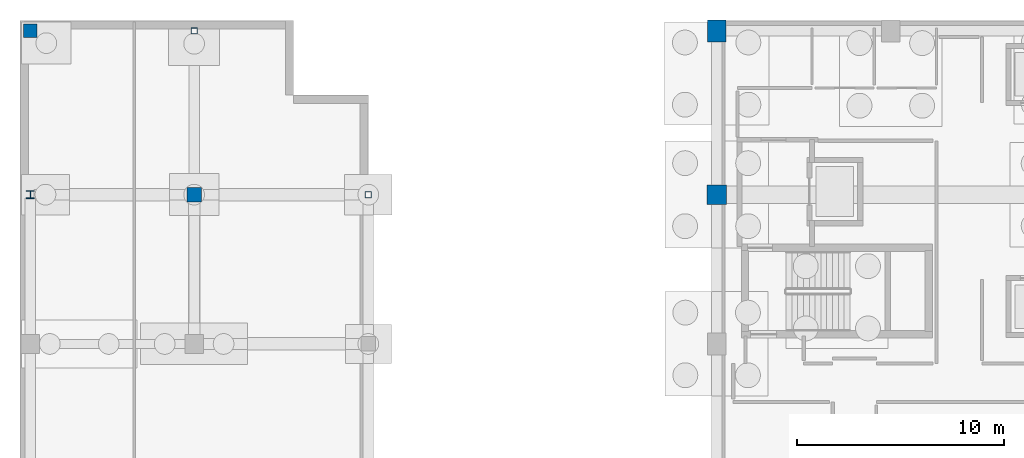
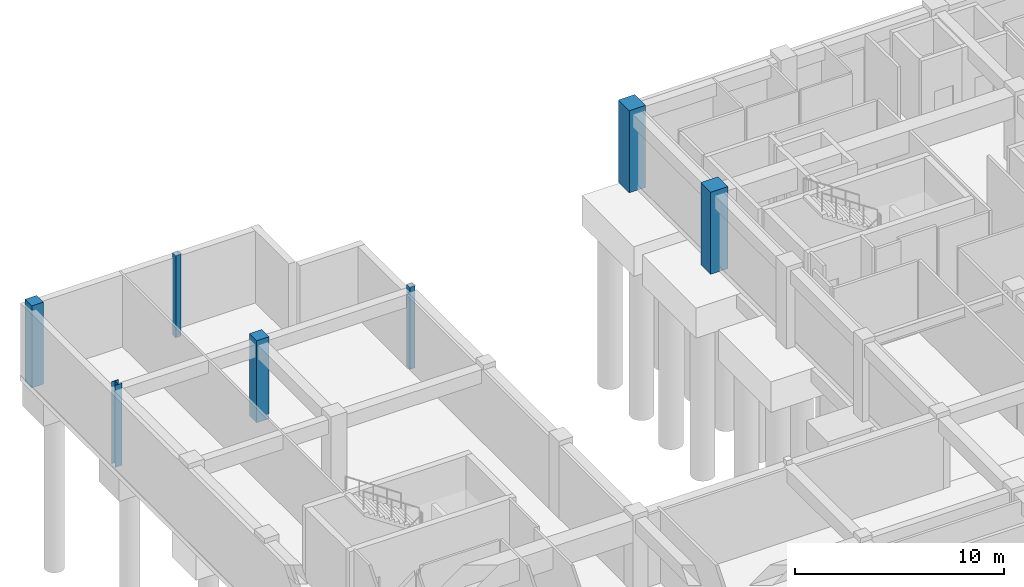
# One storey, part 14 of 42: 7 columns.
"""IFC4 building model written with IfcOpenShell, lengths in metres."""

import ifcopenshell
import ifcopenshell.guid

model = None  # the IFC model being written
_history = None  # IfcOwnerHistory: only IFC2X3 demands one
_inside = {}  # id of a spatial element -> (the spatial element, [elements in it])
_under = {}  # id of a project, library or spatial element -> (it, [spatial elements below it])
_declared = {}  # id of a project -> (the project, [libraries it declares])
_typed = {}  # id of a type object -> (the type object, [elements of that type])
_made_of = {}  # id of a material, layer set ... -> (it, [elements and type objects made of it])


def new_model(schema):
    """Start an empty IFC model of exactly this schema.

    Asked for "IFC4X3", IfcOpenShell would pick the latest addendum, in which some entities
    have other attributes; the version numbers below select the first issue.
    IFC2X3 requires an IfcOwnerHistory on every rooted entity: one is made here for all.
    """
    global model, _history
    if schema == "IFC4X3":
        model = ifcopenshell.file(schema_version=(4, 3, 0, 0))
    else:
        model = ifcopenshell.file(schema=schema)
    _inside.clear()
    _under.clear()
    _declared.clear()
    _typed.clear()
    _made_of.clear()
    _history = None
    if model.schema == "IFC2X3":
        org = make("IfcOrganization", Name="unknown")
        user = make(
            "IfcPersonAndOrganization",
            ThePerson=make("IfcPerson", FamilyName="unknown"),
            TheOrganization=org,
        )
        app = make(
            "IfcApplication",
            ApplicationDeveloper=org,
            Version="unknown",
            ApplicationFullName="unknown",
            ApplicationIdentifier="unknown",
        )
        _history = make(
            "IfcOwnerHistory",
            OwningUser=user,
            OwningApplication=app,
            ChangeAction="ADDED",
            CreationDate=0,
        )
    return model


def make(cls, **values):
    """One entity of the class cls with the attributes given. An attribute that is None is left unset."""
    return model.create_entity(
        cls, **{name: value for name, value in values.items() if value is not None}
    )


def rooted(cls, **values):
    """An entity with a GlobalId (a new one), such as an element, a storey or a relation."""
    return make(cls, GlobalId=ifcopenshell.guid.new(), OwnerHistory=_history, **values)


def si_unit(unit_type, name, prefix=None):
    """IfcSIUnit, for example si_unit("LENGTHUNIT", "METRE", prefix="MILLI")."""
    return make("IfcSIUnit", UnitType=unit_type, Prefix=prefix, Name=name)


def assignment(units):
    """IfcUnitAssignment: the units of a project."""
    return None if units is None else make("IfcUnitAssignment", Units=units)


def point(xyz):
    """IfcCartesianPoint."""
    return None if xyz is None else make("IfcCartesianPoint", Coordinates=xyz)


def direction(xyz):
    """IfcDirection."""
    return None if xyz is None else make("IfcDirection", DirectionRatios=xyz)


def frame(location, z_axis=None, x_axis=None):
    """IfcAxis2Placement3D, a coordinate frame: its origin and axes. An axis left out is left unset."""
    return make(
        "IfcAxis2Placement3D",
        Location=point(location),
        Axis=direction(z_axis),
        RefDirection=direction(x_axis),
    )


def frame_2d(location, x_axis=None):
    """IfcAxis2Placement2D, a coordinate frame in the plane: its origin and x axis."""
    return make(
        "IfcAxis2Placement2D", Location=point(location), RefDirection=direction(x_axis)
    )


def origin():
    """The frame at (0, 0, 0) with its axes left unset."""
    return frame((0.0, 0.0, 0.0))


def origin_2d():
    """The frame at (0, 0) in the plane with its x axis left unset."""
    return frame_2d((0.0, 0.0))


def place(relative_to, where):
    """IfcLocalPlacement: puts the frame where relative to a parent placement (None: the world)."""
    return make(
        "IfcLocalPlacement", PlacementRelTo=relative_to, RelativePlacement=where
    )


def context(
    kind, dimensions, precision=None, world=None, true_north=None, identifier=None
):
    """IfcGeometricRepresentationContext, for example the 3D "Model" context."""
    return make(
        "IfcGeometricRepresentationContext",
        ContextIdentifier=identifier,
        ContextType=kind,
        CoordinateSpaceDimension=dimensions,
        Precision=precision,
        WorldCoordinateSystem=world,
        TrueNorth=true_north,
    )


def subcontext(parent, identifier, kind, view, scale=None):
    """IfcGeometricRepresentationSubContext, for example "Body" below "Model"."""
    return make(
        "IfcGeometricRepresentationSubContext",
        ContextIdentifier=identifier,
        ContextType=kind,
        ParentContext=parent,
        TargetScale=scale,
        TargetView=view,
    )


def project(units=None, contexts=None):
    """IfcProject with its units and contexts."""
    return rooted(
        "IfcProject",
        Name="project",
        RepresentationContexts=contexts,
        UnitsInContext=assignment(units),
    )


def spatial(cls, under=None, at=None, **own):
    """A site, building, storey or space (cls), placed at a placement, below another one or the project."""
    s = rooted(cls, ObjectPlacement=at, **own)
    if under is not None:
        _under.setdefault(under.id(), (under, []))[1].append(s)
    return s


def profile(cls, at=None, kind="AREA", **sizes):
    """A parametric profile (cls). Its sizes go by their IFC names, for example OverallWidth=200.0."""
    return make(cls, ProfileType=kind, Position=at, **sizes)


def rectangle(**sizes):
    """IfcRectangleProfileDef."""
    return profile("IfcRectangleProfileDef", **sizes)


def hollow_rectangle(**sizes):
    """IfcRectangleHollowProfileDef."""
    return profile("IfcRectangleHollowProfileDef", **sizes)


def i_section(**sizes):
    """IfcIShapeProfileDef."""
    return profile("IfcIShapeProfileDef", **sizes)


def extrude(swept, where, along, depth):
    """IfcExtrudedAreaSolid: the profile swept, set in the frame where, extruded along a direction by depth."""
    return make(
        "IfcExtrudedAreaSolid",
        SweptArea=swept,
        Position=where,
        ExtrudedDirection=direction(along),
        Depth=depth,
    )


def shape(context_of_items, identifier, shape_type, items):
    """IfcShapeRepresentation: the items that make up one representation, for example the "Body"."""
    return make(
        "IfcShapeRepresentation",
        ContextOfItems=context_of_items,
        RepresentationIdentifier=identifier,
        RepresentationType=shape_type,
        Items=items,
    )


def material(Name=None, Category=None):
    """IfcMaterial."""
    return make("IfcMaterial", Name=Name, Category=Category)


def material_profile(
    of_material, cross_section, Name=None, Category=None, Priority=None
):
    """IfcMaterialProfile: a cross section and its material."""
    return make(
        "IfcMaterialProfile",
        Name=Name,
        Material=of_material,
        Profile=cross_section,
        Priority=Priority,
        Category=Category,
    )


def profile_set(profiles, Name=None, composite=None):
    """IfcMaterialProfileSet."""
    return make(
        "IfcMaterialProfileSet",
        Name=Name,
        MaterialProfiles=profiles,
        CompositeProfile=composite,
    )


def made_of(thing, what):
    """Note that an element or type object is made of a material, layer set ...; save() writes the relation."""
    if what is not None:
        _made_of.setdefault(what.id(), (what, []))[1].append(thing)
    return thing


def type_object(cls, material=None, **own):
    """A type object (cls), such as IfcWallType, which elements share."""
    return made_of(rooted(cls, **own), material)


def element(
    cls,
    number,
    at=None,
    inside=None,
    cuts=None,
    type_object=None,
    material=None,
    context=None,
    identifier="Body",
    shape_type=None,
    held_by="IfcProductDefinitionShape",
    body=None,
    shapes=None,
    **own,
):
    """One element of the class cls, such as IfcWall. Its Tag is "e" and its number.

    at: its placement. inside: the storey or other place that contains it. cuts: it is an
    opening in that element (IfcRelVoidsElement). A single representation is given by context,
    identifier, shape_type and body (its items); several are given by shapes. held_by: the class
    of the entity that holds the representations. save() writes the other relations.
    """
    e = rooted(cls, Tag="e%d" % number, ObjectPlacement=at, **own)
    if body is not None:
        shapes = [shape(context, identifier, shape_type, body)]
    if shapes is not None:
        e.Representation = make(held_by, Representations=shapes)
    if inside is not None:
        _inside.setdefault(inside.id(), (inside, []))[1].append(e)
    if cuts is not None:
        rooted(
            "IfcRelVoidsElement", RelatingBuildingElement=cuts, RelatedOpeningElement=e
        )
    if type_object is not None:
        _typed.setdefault(type_object.id(), (type_object, []))[1].append(e)
    return made_of(e, material)


def aggregate(whole, parts):
    """IfcRelAggregates: a whole, such as a stair, and the parts it consists of."""
    return rooted("IfcRelAggregates", RelatingObject=whole, RelatedObjects=parts)


def save(model, path):
    """Write the relations noted so far, then the file.

    IfcRelAggregates (storeys below a building ...), IfcRelContainedInSpatialStructure (elements
    in a storey), IfcRelDefinesByType, IfcRelAssociatesMaterial and IfcRelDeclares: one each for
    every whole, place, type object, material and project.
    """
    for whole, parts in _under.values():
        aggregate(whole, parts)
    for where, things in _inside.values():
        rooted(
            "IfcRelContainedInSpatialStructure",
            RelatedElements=things,
            RelatingStructure=where,
        )
    for kind, things in _typed.values():
        rooted("IfcRelDefinesByType", RelatedObjects=things, RelatingType=kind)
    for what, things in _made_of.values():
        rooted("IfcRelAssociatesMaterial", RelatedObjects=things, RelatingMaterial=what)
    for by, libraries in _declared.values():
        rooted("IfcRelDeclares", RelatingContext=by, RelatedDefinitions=libraries)
    model.write(path)


model = new_model("IFC4")

# Units and contexts
model_context = context("Model", 3, precision=1e-05, world=origin(), true_north=direction((0.0, 1.0)))
body_context = subcontext(model_context, "Body", "Model", "MODEL_VIEW")
ifc_project = project(units=[si_unit("LENGTHUNIT", "METRE"), si_unit("AREAUNIT", "SQUARE_METRE"), si_unit("VOLUMEUNIT", "CUBIC_METRE"), si_unit("PLANEANGLEUNIT", "RADIAN"), si_unit("MASSUNIT", "GRAM", prefix="KILO")], contexts=[model_context])

# Site, building, storey
site_placement = place(None, origin())
site = spatial("IfcSite", under=ifc_project, at=site_placement, CompositionType="ELEMENT")
building_placement = place(site_placement, origin())
building = spatial("IfcBuilding", under=site, at=building_placement, Name="Quendrovan Civic Courthouse", CompositionType="ELEMENT")
storey_placement = place(building_placement, frame((0.0, 0.0, -4.5)))
storey = spatial("IfcBuildingStorey", under=building, at=storey_placement, Name="B1", CompositionType="ELEMENT", Elevation=-4.5)

# Columns
ifc_material_1 = material(Name="Concrete C45/55", Category="concrete")
ifc_material_profile_1 = material_profile(ifc_material_1, rectangle(XDim=0.89990234375, YDim=1.050048828125, at=origin_2d()), Name="RC-COL-900x1050")
ifc_profile_set_1 = profile_set([ifc_material_profile_1], Name="Concrete C45/55")
column_type_1 = type_object("IfcColumnType", Name="COL-RC-900x1050", PredefinedType="COLUMN", material=ifc_profile_set_1)
column_1_placement = place(storey_placement, frame((33.60009765625, 109.89990234375, -0.300048828125), z_axis=(0.0, 0.0, 1.0), x_axis=(1.0, 0.0, 0.0)))
element("IfcColumn", 1, at=column_1_placement, inside=storey, type_object=column_type_1, Name="B1 Column 5-Q", PredefinedType="COLUMN", context=body_context, shape_type="SweptSolid", body=[
    extrude(rectangle(XDim=0.89990234375, YDim=1.050048828125, at=origin_2d()), origin(), (0.0, 0.0, 1.0), 4.800048828125),
])
ifc_material_profile_2 = material_profile(ifc_material_1, rectangle(XDim=0.64990234375, YDim=0.64990234375, at=origin_2d()), Name="RC-COL-650x650")
ifc_profile_set_2 = profile_set([ifc_material_profile_2], Name="Concrete C45/55")
column_type_2 = type_object("IfcColumnType", Name="COL-RC650", PredefinedType="COLUMN", material=ifc_profile_set_2)
column_2_placement = place(storey_placement, frame((0.5, 109.89990234375, -0.300048828125), z_axis=(0.0, 0.0, 1.0), x_axis=(1.0, 0.0, 0.0)))
element("IfcColumn", 2, at=column_2_placement, inside=storey, type_object=column_type_2, Name="B1 Column 1-Q", PredefinedType="COLUMN", context=body_context, shape_type="SweptSolid", body=[
    extrude(rectangle(XDim=0.64990234375, YDim=0.64990234375, at=origin_2d()), origin(), (0.0, 0.0, 1.0), 4.800048828125),
])
ifc_material_profile_3 = material_profile(ifc_material_1, rectangle(XDim=0.699951171875, YDim=0.699951171875, at=origin_2d()), Name="RC-COL-700x700")
ifc_profile_set_3 = profile_set([ifc_material_profile_3], Name="Concrete C45/55")
column_type_3 = type_object("IfcColumnType", Name="COL-RC700", PredefinedType="COLUMN", material=ifc_profile_set_3)
column_3_placement = place(storey_placement, frame((8.39990234375, 102.0, -0.300048828125), z_axis=(0.0, 0.0, 1.0), x_axis=(1.0, 0.0, 0.0)))
element("IfcColumn", 3, at=column_3_placement, inside=storey, type_object=column_type_3, Name="B1 Column 2-P", PredefinedType="COLUMN", context=body_context, shape_type="SweptSolid", body=[
    extrude(rectangle(XDim=0.699951171875, YDim=0.699951171875, at=origin_2d()), origin(), (0.0, 0.0, 1.0), 4.800048828125),
])
ifc_material_profile_4 = material_profile(ifc_material_1, rectangle(XDim=0.949951171875, YDim=0.949951171875, at=origin_2d()), Name="RC-COL-950x950")
ifc_profile_set_4 = profile_set([ifc_material_profile_4], Name="Concrete C45/55")
column_type_4 = type_object("IfcColumnType", Name="COL-RC950", PredefinedType="COLUMN", material=ifc_profile_set_4)
column_4_placement = place(storey_placement, frame((33.60009765625, 102.0, -0.300048828125), z_axis=(0.0, 0.0, 1.0), x_axis=(1.0, 0.0, 0.0)))
element("IfcColumn", 4, at=column_4_placement, inside=storey, type_object=column_type_4, Name="B1 Column 5-P", PredefinedType="COLUMN", context=body_context, shape_type="SweptSolid", body=[
    extrude(rectangle(XDim=0.949951171875, YDim=0.949951171875, at=origin_2d()), origin(), (0.0, 0.0, 1.0), 4.800048828125),
])
ifc_material_2 = material(Name="Steel ASTM A500 Grade C", Category="steel")
ifc_material_profile_5 = material_profile(ifc_material_2, hollow_rectangle(XDim=0.300048828125, YDim=0.300048828125, WallThickness=0.011962890625, at=origin_2d()), Name="HSS300x300x12")
ifc_profile_set_5 = profile_set([ifc_material_profile_5], Name="Steel ASTM A500 Grade C")
column_type_5 = type_object("IfcColumnType", Name="COL-STL-HSS300S", PredefinedType="COLUMN", material=ifc_profile_set_5)
for number, where, z_axis, x_axis, name in (
    (5, (8.39990234375, 109.89990234375, -0.300048828125), (0.0, 0.0, 1.0), (1.0, 0.0, 0.0), "B1 Column 2-Q"),
    (6, (16.800048828125, 102.0, -0.300048828125), (0.0, 0.0, 1.0), (1.0, 0.0, 0.0), "B1 Column 3-P"),
):
    element("IfcColumn", number, at=place(storey_placement, frame(where, z_axis=z_axis, x_axis=x_axis)), inside=storey, type_object=column_type_5, Name=name, PredefinedType="COLUMN", context=body_context, shape_type="SweptSolid", body=[
        extrude(hollow_rectangle(XDim=0.300048828125, YDim=0.300048828125, WallThickness=0.011962890625, at=origin_2d()), origin(), (0.0, 0.0, 1.0), 4.800048828125),
    ])
ifc_material_3 = material(Name="Steel ASTM A992 Grade 50", Category="steel")
ifc_material_profile_6 = material_profile(ifc_material_3, i_section(OverallWidth=0.3740234375, OverallDepth=0.3720703125, WebThickness=0.016357421875, FlangeThickness=0.026123046875, at=origin_2d()), Name="W14X132")
ifc_profile_set_6 = profile_set([ifc_material_profile_6], Name="Steel ASTM A992 Grade 50")
column_type_6 = type_object("IfcColumnType", Name="COL-STL-W14X132", PredefinedType="COLUMN", material=ifc_profile_set_6)
column_5_placement = place(storey_placement, frame((0.5, 102.0, -0.300048828125), z_axis=(0.0, 0.0, 1.0), x_axis=(1.0, 0.0, 0.0)))
element("IfcColumn", 7, at=column_5_placement, inside=storey, type_object=column_type_6, Name="B1 Column 1-P", PredefinedType="COLUMN", context=body_context, shape_type="SweptSolid", body=[
    extrude(i_section(OverallWidth=0.3740234375, OverallDepth=0.3720703125, WebThickness=0.016357421875, FlangeThickness=0.026123046875, at=origin_2d()), origin(), (0.0, 0.0, 1.0), 4.800048828125),
])

save(model, "model.ifc")
